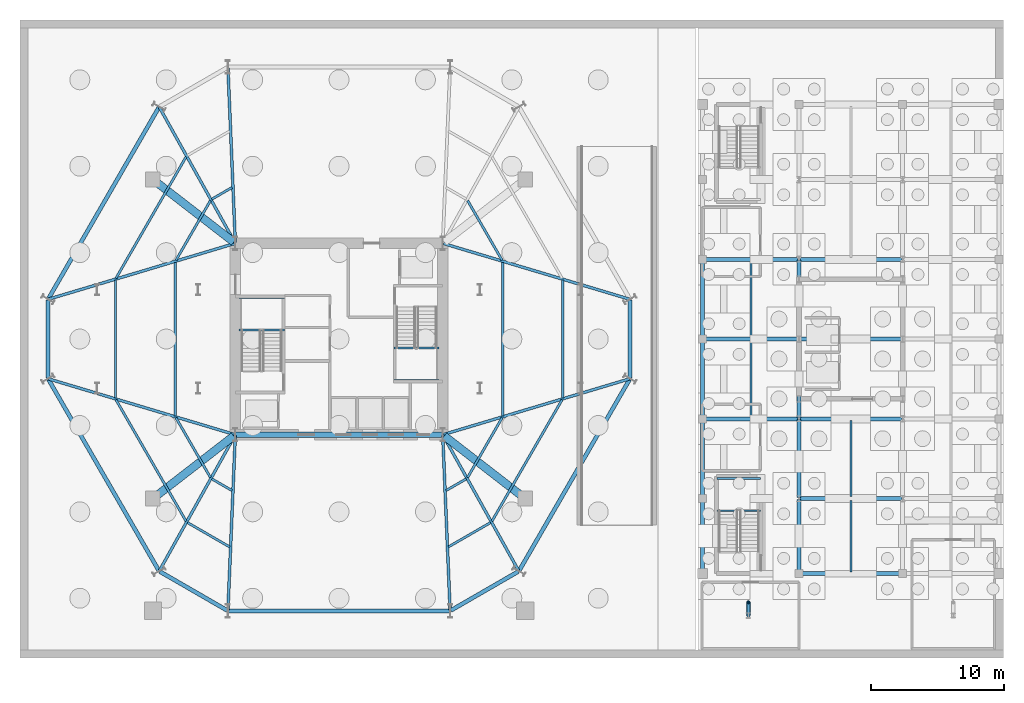
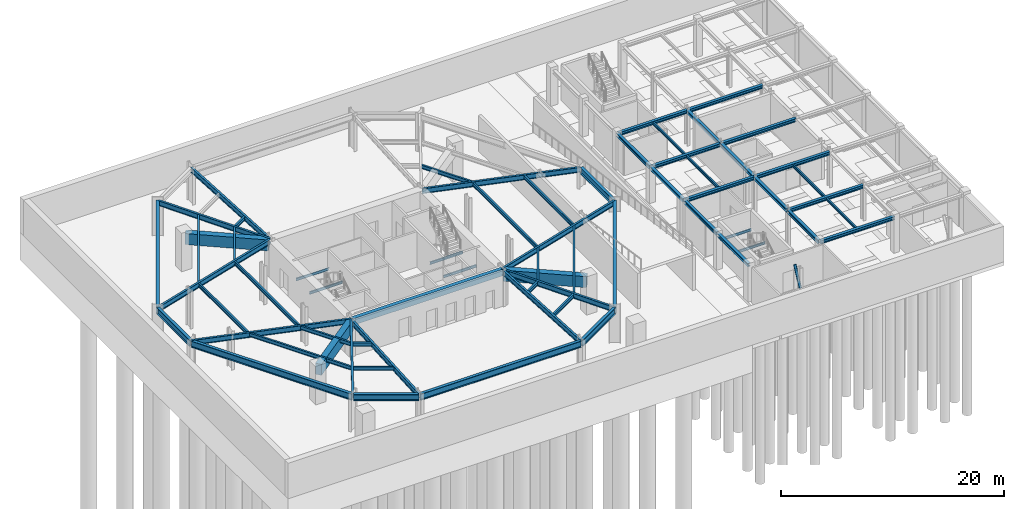
# One storey, part 8 of 18: 64 beams, 1 member.
"""IFC4 building model written with IfcOpenShell, lengths in metres."""

from ifc_helpers import new_model, si_unit, direction, frame, origin, origin_2d, place, context, subcontext, project, spatial, rectangle, hollow_circle, i_section, extrude, material, material_profile, profile_set, type_object, element, save


model = new_model("IFC4")

# Units and contexts
model_context = context("Model", 3, precision=1e-05, world=origin(), true_north=direction((0.0, 1.0)))
body_context = subcontext(model_context, "Body", "Model", "MODEL_VIEW")
ifc_project = project(units=[si_unit("LENGTHUNIT", "METRE"), si_unit("AREAUNIT", "SQUARE_METRE"), si_unit("VOLUMEUNIT", "CUBIC_METRE"), si_unit("PLANEANGLEUNIT", "RADIAN"), si_unit("MASSUNIT", "GRAM", prefix="KILO")], contexts=[model_context])

# Site, building, storey
site_placement = place(None, origin())
site = spatial("IfcSite", under=ifc_project, at=site_placement, CompositionType="ELEMENT")
building_placement = place(site_placement, origin())
building = spatial("IfcBuilding", under=site, at=building_placement, Name="Kranzbogen Civic Tower", CompositionType="ELEMENT")
storey_placement = place(building_placement, frame((0.0, 0.0, -8.39990234375)))
storey = spatial("IfcBuildingStorey", under=building, at=storey_placement, Name="B02", CompositionType="ELEMENT", Elevation=-8.39990234375)

# Beams
ifc_material_1 = material(Name="Concrete C45/55", Category="concrete")
ifc_material_profile_1 = material_profile(ifc_material_1, rectangle(XDim=0.60009765625, YDim=1.199951171875, at=origin_2d()), Name="RC-BM 600x1200")
ifc_profile_set_1 = profile_set([ifc_material_profile_1], Name="Concrete C45/55")
beam_type_1 = type_object("IfcBeamType", Name="Basement Heavy RC Girder 600x1200", PredefinedType="BEAM", material=ifc_profile_set_1)
for number, where, z_axis, x_axis, name in (
    (1, (11.118896484375, 13.092041015625, 3.27978515625), (0.79071713495, 0.612181682589, 0.0), (-0.612181682589, 0.79071713495, 0.0), "B02 basement RC frame girder 1"),
    (2, (38.881103515625, 13.092041015625, 3.27978515625), (-0.79071713495, 0.612181682589, 0.0), (-0.612181682589, -0.79071713495, 0.0), "B02 basement RC frame girder 2"),
    (3, (11.118896484375, 36.907958984375, 3.27978515625), (0.79071713495, -0.612181682589, 0.0), (0.612181682589, 0.79071713495, 0.0), "B02 basement RC frame girder 3"),
):
    element("IfcBeam", number, at=place(storey_placement, frame(where, z_axis=z_axis, x_axis=x_axis)), inside=storey, type_object=beam_type_1, Name=name, PredefinedType="BEAM", context=body_context, shape_type="SweptSolid", body=[
        extrude(rectangle(XDim=0.60009765625, YDim=1.199951171875, at=origin_2d()), origin(), (0.0, 0.0, 1.0), 7.540283203125),
    ])
ifc_material_2 = material(Name="Concrete C40/50", Category="concrete")
ifc_material_profile_2 = material_profile(ifc_material_2, rectangle(XDim=0.39990234375, YDim=0.699951171875, at=origin_2d()), Name="RC-BM 400x700")
ifc_profile_set_2 = profile_set([ifc_material_profile_2], Name="Concrete C40/50")
beam_type_2 = type_object("IfcBeamType", Name="Core Coupling Lintel Beam 400x700", PredefinedType="LINTEL", material=ifc_profile_set_2)
beam_1_placement = place(storey_placement, frame((17.199951171875, 17.800048828125, 3.52978515625), z_axis=(1.0, 0.0, 0.0), x_axis=(0.0, 1.0, 0.0)))
element("IfcBeam", 4, at=beam_1_placement, inside=storey, type_object=beam_type_2, Name="B02 core South coupling lintel beam", PredefinedType="LINTEL", context=body_context, shape_type="SweptSolid", body=[
    extrude(rectangle(XDim=0.39990234375, YDim=0.699951171875, at=origin_2d()), origin(), (0.0, 0.0, 1.0), 15.60009765625),
])
ifc_material_3 = material(Name="Steel S355", Category="steel")
ifc_material_profile_3 = material_profile(ifc_material_3, i_section(OverallWidth=0.300048828125, OverallDepth=0.360107421875, WebThickness=0.012451171875, FlangeThickness=0.0224609375, at=origin_2d()), Name="HEB 360")
ifc_profile_set_3 = profile_set([ifc_material_profile_3], Name="Steel S355")
beam_type_3 = type_object("IfcBeamType", Name="Health Centre Primary Floor Beam HEB 360", PredefinedType="BEAM", material=ifc_profile_set_3)
for number, where, z_axis, x_axis, name in (
    (5, (59.659912109375, 7.35009765625, 3.699951171875), (1.0, 0.0, 0.0), (0.0, 1.0, 0.0), "B02 Health Centre X girder 2-1"),
    (6, (59.659912109375, 13.0, 3.699951171875), (1.0, 0.0, 0.0), (0.0, 1.0, 0.0), "B02 Health Centre X girder 2-2"),
):
    element("IfcBeam", number, at=place(storey_placement, frame(where, z_axis=z_axis, x_axis=x_axis)), inside=storey, type_object=beam_type_3, Name=name, PredefinedType="BEAM", context=body_context, shape_type="SweptSolid", body=[
        extrude(i_section(OverallWidth=0.300048828125, OverallDepth=0.360107421875, WebThickness=0.012451171875, FlangeThickness=0.0224609375, at=origin_2d()), origin(), (0.0, 0.0, 1.0), 7.68017578125),
    ])
beam_2_placement = place(storey_placement, frame((52.409912109375, 19.0, 3.699951171875), z_axis=(1.0, 0.0, 0.0), x_axis=(0.0, 1.0, 0.0)))
element("IfcBeam", 7, at=beam_2_placement, inside=storey, type_object=beam_type_3, Name="B02 Health Centre X girder 1-3", PredefinedType="BEAM", context=body_context, shape_type="SweptSolid", body=[
    extrude(i_section(OverallWidth=0.300048828125, OverallDepth=0.360107421875, WebThickness=0.012451171875, FlangeThickness=0.0224609375, at=origin_2d()), origin(), (0.0, 0.0, 1.0), 7.130126953125),
])
beam_3_placement = place(storey_placement, frame((59.659912109375, 19.0, 3.699951171875), z_axis=(1.0, 0.0, 0.0), x_axis=(0.0, 1.0, 0.0)))
element("IfcBeam", 8, at=beam_3_placement, inside=storey, type_object=beam_type_3, Name="B02 Health Centre X girder 2-3", PredefinedType="BEAM", context=body_context, shape_type="SweptSolid", body=[
    extrude(i_section(OverallWidth=0.300048828125, OverallDepth=0.360107421875, WebThickness=0.012451171875, FlangeThickness=0.0224609375, at=origin_2d()), origin(), (0.0, 0.0, 1.0), 7.68017578125),
])
beam_4_placement = place(storey_placement, frame((52.409912109375, 25.0, 3.699951171875), z_axis=(1.0, 0.0, 0.0), x_axis=(0.0, 1.0, 0.0)))
element("IfcBeam", 9, at=beam_4_placement, inside=storey, type_object=beam_type_3, Name="B02 Health Centre X girder 1-4", PredefinedType="BEAM", context=body_context, shape_type="SweptSolid", body=[
    extrude(i_section(OverallWidth=0.300048828125, OverallDepth=0.360107421875, WebThickness=0.012451171875, FlangeThickness=0.0224609375, at=origin_2d()), origin(), (0.0, 0.0, 1.0), 7.130126953125),
])
beam_5_placement = place(storey_placement, frame((59.659912109375, 25.0, 3.699951171875), z_axis=(1.0, 0.0, 0.0), x_axis=(0.0, 1.0, 0.0)))
element("IfcBeam", 10, at=beam_5_placement, inside=storey, type_object=beam_type_3, Name="B02 Health Centre X girder 2-4", PredefinedType="BEAM", context=body_context, shape_type="SweptSolid", body=[
    extrude(i_section(OverallWidth=0.300048828125, OverallDepth=0.360107421875, WebThickness=0.012451171875, FlangeThickness=0.0224609375, at=origin_2d()), origin(), (0.0, 0.0, 1.0), 7.68017578125),
])
beam_6_placement = place(storey_placement, frame((52.409912109375, 31.0, 3.699951171875), z_axis=(1.0, 0.0, 0.0), x_axis=(0.0, 1.0, 0.0)))
element("IfcBeam", 11, at=beam_6_placement, inside=storey, type_object=beam_type_3, Name="B02 Health Centre X girder 1-5", PredefinedType="BEAM", context=body_context, shape_type="SweptSolid", body=[
    extrude(i_section(OverallWidth=0.300048828125, OverallDepth=0.360107421875, WebThickness=0.012451171875, FlangeThickness=0.0224609375, at=origin_2d()), origin(), (0.0, 0.0, 1.0), 7.130126953125),
])
beam_7_placement = place(storey_placement, frame((59.659912109375, 31.0, 3.699951171875), z_axis=(1.0, 0.0, 0.0), x_axis=(0.0, 1.0, 0.0)))
element("IfcBeam", 12, at=beam_7_placement, inside=storey, type_object=beam_type_3, Name="B02 Health Centre X girder 2-5", PredefinedType="BEAM", context=body_context, shape_type="SweptSolid", body=[
    extrude(i_section(OverallWidth=0.300048828125, OverallDepth=0.360107421875, WebThickness=0.012451171875, FlangeThickness=0.0224609375, at=origin_2d()), origin(), (0.0, 0.0, 1.0), 7.68017578125),
])
for number, where, z_axis, x_axis, name in (
    (13, (52.35009765625, 7.409912109375, 3.699951171875), (0.0, 1.0, 0.0), (-1.0, 0.0, 0.0), "B02 Health Centre Y girder 1-1"),
    (14, (59.60009765625, 7.409912109375, 3.699951171875), (0.0, 1.0, 0.0), (-1.0, 0.0, 0.0), "B02 Health Centre Y girder 2-1"),
):
    element("IfcBeam", number, at=place(storey_placement, frame(where, z_axis=z_axis, x_axis=x_axis)), inside=storey, type_object=beam_type_3, Name=name, PredefinedType="BEAM", context=body_context, shape_type="SweptSolid", body=[
        extrude(i_section(OverallWidth=0.300048828125, OverallDepth=0.360107421875, WebThickness=0.012451171875, FlangeThickness=0.0224609375, at=origin_2d()), origin(), (0.0, 0.0, 1.0), 5.530029296875),
    ])
for number, where, z_axis, x_axis, name in (
    (15, (52.35009765625, 13.06005859375, 3.699951171875), (0.0, 1.0, 0.0), (-1.0, 0.0, 0.0), "B02 Health Centre Y girder 1-2"),
    (16, (59.60009765625, 13.06005859375, 3.699951171875), (0.0, 1.0, 0.0), (-1.0, 0.0, 0.0), "B02 Health Centre Y girder 2-2"),
    (17, (52.35009765625, 19.06005859375, 3.699951171875), (0.0, 1.0, 0.0), (-1.0, 0.0, 0.0), "B02 Health Centre Y girder 1-3"),
    (18, (59.60009765625, 19.06005859375, 3.699951171875), (0.0, 1.0, 0.0), (-1.0, 0.0, 0.0), "B02 Health Centre Y girder 2-3"),
    (19, (52.35009765625, 25.06005859375, 3.699951171875), (0.0, 1.0, 0.0), (-1.0, 0.0, 0.0), "B02 Health Centre Y girder 1-4"),
    (20, (59.60009765625, 25.06005859375, 3.699951171875), (0.0, 1.0, 0.0), (-1.0, 0.0, 0.0), "B02 Health Centre Y girder 2-4"),
):
    element("IfcBeam", number, at=place(storey_placement, frame(where, z_axis=z_axis, x_axis=x_axis)), inside=storey, type_object=beam_type_3, Name=name, PredefinedType="BEAM", context=body_context, shape_type="SweptSolid", body=[
        extrude(i_section(OverallWidth=0.300048828125, OverallDepth=0.360107421875, WebThickness=0.012451171875, FlangeThickness=0.0224609375, at=origin_2d()), origin(), (0.0, 0.0, 1.0), 5.8798828125),
    ])
ifc_material_profile_4 = material_profile(ifc_material_3, i_section(OverallWidth=0.14990234375, OverallDepth=0.300048828125, WebThickness=0.007080078125, FlangeThickness=0.0107421875, at=origin_2d()), Name="IPE 300")
ifc_profile_set_4 = profile_set([ifc_material_profile_4], Name="Steel S355")
beam_type_4 = type_object("IfcBeamType", Name="Health Centre Secondary Joist IPE 300", PredefinedType="JOIST", material=ifc_profile_set_4)
beam_8_placement = place(storey_placement, frame((63.5, 7.489990234375, 3.72998046875), z_axis=(0.0, 1.0, 0.0), x_axis=(-1.0, 0.0, 0.0)))
element("IfcBeam", 21, at=beam_8_placement, inside=storey, type_object=beam_type_4, Name="B02 Health Centre secondary joist 2-1", PredefinedType="JOIST", context=body_context, shape_type="SweptSolid", body=[
    extrude(i_section(OverallWidth=0.14990234375, OverallDepth=0.300048828125, WebThickness=0.007080078125, FlangeThickness=0.0107421875, at=origin_2d()), origin(), (0.0, 0.0, 1.0), 5.3701171875),
])
for number, where, z_axis, x_axis, name in (
    (22, (63.5, 13.139892578125, 3.72998046875), (0.0, 1.0, 0.0), (-1.0, 0.0, 0.0), "B02 Health Centre secondary joist 2-2"),
    (23, (55.97509765625, 19.139892578125, 3.72998046875), (0.0, 1.0, 0.0), (-1.0, 0.0, 0.0), "B02 Health Centre secondary joist 1-3"),
    (24, (55.97509765625, 25.139892578125, 3.72998046875), (0.0, 1.0, 0.0), (-1.0, 0.0, 0.0), "B02 Health Centre secondary joist 1-4"),
):
    element("IfcBeam", number, at=place(storey_placement, frame(where, z_axis=z_axis, x_axis=x_axis)), inside=storey, type_object=beam_type_4, Name=name, PredefinedType="JOIST", context=body_context, shape_type="SweptSolid", body=[
        extrude(i_section(OverallWidth=0.14990234375, OverallDepth=0.300048828125, WebThickness=0.007080078125, FlangeThickness=0.0107421875, at=origin_2d()), origin(), (0.0, 0.0, 1.0), 5.72021484375),
    ])
ifc_material_profile_5 = material_profile(ifc_material_3, i_section(OverallWidth=0.300048828125, OverallDepth=0.699951171875, WebThickness=0.01708984375, FlangeThickness=0.031982421875, at=origin_2d()), Name="HEB 700")
ifc_profile_set_5 = profile_set([ifc_material_profile_5], Name="Steel S355")
beam_type_5 = type_object("IfcBeamType", Name="Perimeter Tube Spandrel Beam HEB 700", PredefinedType="SPANDREL", material=ifc_profile_set_5)
beam_9_placement = place(storey_placement, frame((3.139892578125, 21.9619140625, 3.52978515625), z_axis=(0.500010210561, -0.866019508634, 0.0), x_axis=(0.866019508634, 0.500010210561, 0.0)))
element("IfcBeam", 25, at=beam_9_placement, inside=storey, type_object=beam_type_5, Name="B02 perimeter spandrel beam 01", PredefinedType="SPANDREL", context=body_context, shape_type="SweptSolid", body=[
    extrude(i_section(OverallWidth=0.300048828125, OverallDepth=0.699951171875, WebThickness=0.01708984375, FlangeThickness=0.031982421875, at=origin_2d()), origin(), (0.0, 0.0, 1.0), 16.597900390625),
])
beam_10_placement = place(storey_placement, frame((11.52099609375, 7.506103515625, 3.52978515625), z_axis=(0.86602927387, -0.499993296755, 0.0), x_axis=(0.499993296755, 0.86602927387, 0.0)))
element("IfcBeam", 26, at=beam_10_placement, inside=storey, type_object=beam_type_5, Name="B02 perimeter spandrel beam 02", PredefinedType="SPANDREL", context=body_context, shape_type="SweptSolid", body=[
    extrude(i_section(OverallWidth=0.300048828125, OverallDepth=0.699951171875, WebThickness=0.01708984375, FlangeThickness=0.031982421875, at=origin_2d()), origin(), (0.0, 0.0, 1.0), 5.85205078125),
])
beam_11_placement = place(storey_placement, frame((16.700927734375, 4.550048828125, 3.52978515625), z_axis=(1.0, 0.0, 0.0), x_axis=(0.0, 1.0, 0.0)))
element("IfcBeam", 27, at=beam_11_placement, inside=storey, type_object=beam_type_5, Name="B02 perimeter spandrel beam 03", PredefinedType="SPANDREL", context=body_context, shape_type="SweptSolid", body=[
    extrude(i_section(OverallWidth=0.300048828125, OverallDepth=0.699951171875, WebThickness=0.01708984375, FlangeThickness=0.031982421875, at=origin_2d()), origin(), (0.0, 0.0, 1.0), 16.59814453125),
])
beam_12_placement = place(storey_placement, frame((33.410888671875, 4.580078125, 3.52978515625), z_axis=(0.86602927387, 0.499993296755, 0.0), x_axis=(-0.499993296755, 0.86602927387, 0.0)))
element("IfcBeam", 28, at=beam_12_placement, inside=storey, type_object=beam_type_5, Name="B02 perimeter spandrel beam 04", PredefinedType="SPANDREL", context=body_context, shape_type="SweptSolid", body=[
    extrude(i_section(OverallWidth=0.300048828125, OverallDepth=0.699951171875, WebThickness=0.01708984375, FlangeThickness=0.031982421875, at=origin_2d()), origin(), (0.0, 0.0, 1.0), 5.85205078125),
])
beam_13_placement = place(storey_placement, frame((38.56103515625, 7.587890625, 3.52978515625), z_axis=(0.500010210561, 0.866019508634, 0.0), x_axis=(-0.866019508634, 0.500010210561, 0.0)))
element("IfcBeam", 29, at=beam_13_placement, inside=storey, type_object=beam_type_5, Name="B02 perimeter spandrel beam 05", PredefinedType="SPANDREL", context=body_context, shape_type="SweptSolid", body=[
    extrude(i_section(OverallWidth=0.300048828125, OverallDepth=0.699951171875, WebThickness=0.01708984375, FlangeThickness=0.031982421875, at=origin_2d()), origin(), (0.0, 0.0, 1.0), 16.597900390625),
])
beam_14_placement = place(storey_placement, frame((46.889892578125, 22.073974609375, 3.52978515625), z_axis=(0.0, 1.0, 0.0), x_axis=(-1.0, 0.0, 0.0)))
element("IfcBeam", 30, at=beam_14_placement, inside=storey, type_object=beam_type_5, Name="B02 perimeter spandrel beam 06", PredefinedType="SPANDREL", context=body_context, shape_type="SweptSolid", body=[
    extrude(i_section(OverallWidth=0.300048828125, OverallDepth=0.699951171875, WebThickness=0.01708984375, FlangeThickness=0.031982421875, at=origin_2d()), origin(), (0.0, 0.0, 1.0), 5.85205078125),
])
beam_15_placement = place(storey_placement, frame((11.43896484375, 42.412109375, 3.52978515625), z_axis=(-0.500010210561, -0.866019508634, 0.0), x_axis=(0.866019508634, -0.500010210561, 0.0)))
element("IfcBeam", 31, at=beam_15_placement, inside=storey, type_object=beam_type_5, Name="B02 perimeter spandrel beam 11", PredefinedType="SPANDREL", context=body_context, shape_type="SweptSolid", body=[
    extrude(i_section(OverallWidth=0.300048828125, OverallDepth=0.699951171875, WebThickness=0.01708984375, FlangeThickness=0.031982421875, at=origin_2d()), origin(), (0.0, 0.0, 1.0), 16.597900390625),
])
beam_16_placement = place(storey_placement, frame((3.110107421875, 27.926025390625, 3.52978515625), z_axis=(0.0, -1.0, 0.0), x_axis=(1.0, 0.0, 0.0)))
element("IfcBeam", 32, at=beam_16_placement, inside=storey, type_object=beam_type_5, Name="B02 perimeter spandrel beam 12", PredefinedType="SPANDREL", context=body_context, shape_type="SweptSolid", body=[
    extrude(i_section(OverallWidth=0.300048828125, OverallDepth=0.699951171875, WebThickness=0.01708984375, FlangeThickness=0.031982421875, at=origin_2d()), origin(), (0.0, 0.0, 1.0), 5.85205078125),
])
ifc_material_profile_6 = material_profile(ifc_material_3, i_section(OverallWidth=0.2099609375, OverallDepth=0.550048828125, WebThickness=0.010986328125, FlangeThickness=0.01708984375, at=origin_2d()), Name="IPE 550")
ifc_profile_set_6 = profile_set([ifc_material_profile_6], Name="Steel S355")
beam_type_6 = type_object("IfcBeamType", Name="Radial Tower Floor Girder IPE 550", PredefinedType="BEAM", material=ifc_profile_set_6)
beam_17_placement = place(storey_placement, frame((3.1669921875, 21.9970703125, 3.60498046875), z_axis=(0.958064557048, -0.286552446385, 0.0), x_axis=(0.286552446385, 0.958064557048, 0.0)))
element("IfcBeam", 33, at=beam_17_placement, inside=storey, type_object=beam_type_6, Name="B02 radial floor girder 01", PredefinedType="BEAM", context=body_context, shape_type="SweptSolid", body=[
    extrude(i_section(OverallWidth=0.2099609375, OverallDepth=0.550048828125, WebThickness=0.010986328125, FlangeThickness=0.01708984375, at=origin_2d()), origin(), (0.0, 0.0, 1.0), 14.587890625),
])
beam_18_placement = place(storey_placement, frame((11.498046875, 7.587890625, 3.60498046875), z_axis=(0.487501570266, 0.87312211001, 0.0), x_axis=(-0.87312211001, 0.487501570266, 0.0)))
element("IfcBeam", 34, at=beam_18_placement, inside=storey, type_object=beam_type_6, Name="B02 radial floor girder 02", PredefinedType="BEAM", context=body_context, shape_type="SweptSolid", body=[
    extrude(i_section(OverallWidth=0.2099609375, OverallDepth=0.550048828125, WebThickness=0.010986328125, FlangeThickness=0.01708984375, at=origin_2d()), origin(), (0.0, 0.0, 1.0), 11.636474609375),
])
for number, where, z_axis, x_axis, name in (
    (35, (16.64404296875, 4.610107421875, 3.60498046875), (0.04207872602, 0.999114298174, 0.0), (-0.999114298174, 0.04207872602, 0.0), "B02 radial floor girder 03"),
    (36, (33.35595703125, 4.610107421875, 3.60498046875), (-0.04207872602, 0.999114298174, 0.0), (-0.999114298174, -0.04207872602, 0.0), "B02 radial floor girder 04"),
):
    element("IfcBeam", number, at=place(storey_placement, frame(where, z_axis=z_axis, x_axis=x_axis)), inside=storey, type_object=beam_type_6, Name=name, PredefinedType="BEAM", context=body_context, shape_type="SweptSolid", body=[
        extrude(i_section(OverallWidth=0.2099609375, OverallDepth=0.550048828125, WebThickness=0.010986328125, FlangeThickness=0.01708984375, at=origin_2d()), origin(), (0.0, 0.0, 1.0), 13.1416015625),
    ])
beam_19_placement = place(storey_placement, frame((38.501953125, 7.587890625, 3.60498046875), z_axis=(-0.487501570266, 0.87312211001, 0.0), x_axis=(-0.87312211001, -0.487501570266, 0.0)))
element("IfcBeam", 37, at=beam_19_placement, inside=storey, type_object=beam_type_6, Name="B02 radial floor girder 05", PredefinedType="BEAM", context=body_context, shape_type="SweptSolid", body=[
    extrude(i_section(OverallWidth=0.2099609375, OverallDepth=0.550048828125, WebThickness=0.010986328125, FlangeThickness=0.01708984375, at=origin_2d()), origin(), (0.0, 0.0, 1.0), 11.636474609375),
])
for number, where, z_axis, x_axis, name in (
    (38, (46.8330078125, 21.9970703125, 3.60498046875), (-0.958064557048, -0.286552446385, 0.0), (0.286552446385, -0.958064557048, 0.0), "B02 radial floor girder 06"),
    (39, (46.8330078125, 28.0029296875, 3.60498046875), (-0.958064557048, 0.286552446385, 0.0), (-0.286552446385, -0.958064557048, 0.0), "B02 radial floor girder 07"),
):
    element("IfcBeam", number, at=place(storey_placement, frame(where, z_axis=z_axis, x_axis=x_axis)), inside=storey, type_object=beam_type_6, Name=name, PredefinedType="BEAM", context=body_context, shape_type="SweptSolid", body=[
        extrude(i_section(OverallWidth=0.2099609375, OverallDepth=0.550048828125, WebThickness=0.010986328125, FlangeThickness=0.01708984375, at=origin_2d()), origin(), (0.0, 0.0, 1.0), 14.587890625),
    ])
beam_20_placement = place(storey_placement, frame((16.64404296875, 45.389892578125, 3.60498046875), z_axis=(0.04207872602, -0.999114298174, 0.0), x_axis=(0.999114298174, 0.04207872602, 0.0)))
element("IfcBeam", 40, at=beam_20_placement, inside=storey, type_object=beam_type_6, Name="B02 radial floor girder 10", PredefinedType="BEAM", context=body_context, shape_type="SweptSolid", body=[
    extrude(i_section(OverallWidth=0.2099609375, OverallDepth=0.550048828125, WebThickness=0.010986328125, FlangeThickness=0.01708984375, at=origin_2d()), origin(), (0.0, 0.0, 1.0), 13.1416015625),
])
beam_21_placement = place(storey_placement, frame((11.498046875, 42.412109375, 3.60498046875), z_axis=(0.487501570266, -0.87312211001, 0.0), x_axis=(0.87312211001, 0.487501570266, 0.0)))
element("IfcBeam", 41, at=beam_21_placement, inside=storey, type_object=beam_type_6, Name="B02 radial floor girder 11", PredefinedType="BEAM", context=body_context, shape_type="SweptSolid", body=[
    extrude(i_section(OverallWidth=0.2099609375, OverallDepth=0.550048828125, WebThickness=0.010986328125, FlangeThickness=0.01708984375, at=origin_2d()), origin(), (0.0, 0.0, 1.0), 11.636474609375),
])
beam_22_placement = place(storey_placement, frame((3.1669921875, 28.0029296875, 3.60498046875), z_axis=(0.958064557048, 0.286552446385, 0.0), x_axis=(-0.286552446385, 0.958064557048, 0.0)))
element("IfcBeam", 42, at=beam_22_placement, inside=storey, type_object=beam_type_6, Name="B02 radial floor girder 12", PredefinedType="BEAM", context=body_context, shape_type="SweptSolid", body=[
    extrude(i_section(OverallWidth=0.2099609375, OverallDepth=0.550048828125, WebThickness=0.010986328125, FlangeThickness=0.01708984375, at=origin_2d()), origin(), (0.0, 0.0, 1.0), 14.587890625),
])
ifc_material_profile_7 = material_profile(ifc_material_3, i_section(OverallWidth=0.179931640625, OverallDepth=0.39990234375, WebThickness=0.008544921875, FlangeThickness=0.013427734375, at=origin_2d()), Name="IPE 400")
ifc_profile_set_7 = profile_set([ifc_material_profile_7], Name="Steel S355")
beam_type_7 = type_object("IfcBeamType", Name="Secondary Composite Floor Joist IPE 400", PredefinedType="JOIST", material=ifc_profile_set_7)
beam_23_placement = place(storey_placement, frame((8.221923828125, 20.427978515625, 3.679931640625), z_axis=(0.500000488781, -0.866025121586, 0.0), x_axis=(0.866025121586, 0.500000488781, 0.0)))
element("IfcBeam", 43, at=beam_23_placement, inside=storey, type_object=beam_type_7, Name="B02 secondary floor joist 1.01", PredefinedType="JOIST", context=body_context, shape_type="SweptSolid", body=[
    extrude(i_section(OverallWidth=0.179931640625, OverallDepth=0.39990234375, WebThickness=0.008544921875, FlangeThickness=0.013427734375, at=origin_2d()), origin(), (0.0, 0.0, 1.0), 10.5400390625),
])
beam_24_placement = place(storey_placement, frame((12.73095703125, 19.0791015625, 3.679931640625), z_axis=(0.500040090343, -0.866002256377, 0.0), x_axis=(0.866002256377, 0.500040090343, 0.0)))
element("IfcBeam", 44, at=beam_24_placement, inside=storey, type_object=beam_type_7, Name="B02 secondary floor joist 2.01", PredefinedType="JOIST", context=body_context, shape_type="SweptSolid", body=[
    extrude(i_section(OverallWidth=0.179931640625, OverallDepth=0.39990234375, WebThickness=0.008544921875, FlangeThickness=0.013427734375, at=origin_2d()), origin(), (0.0, 0.0, 1.0), 5.189453125),
])
beam_25_placement = place(storey_placement, frame((13.60107421875, 11.19091796875, 3.679931640625), z_axis=(0.866081244924, -0.499903267833, 0.0), x_axis=(0.499903267833, 0.866081244924, 0.0)))
element("IfcBeam", 45, at=beam_25_placement, inside=storey, type_object=beam_type_7, Name="B02 secondary floor joist 1.02", PredefinedType="JOIST", context=body_context, shape_type="SweptSolid", body=[
    extrude(i_section(OverallWidth=0.179931640625, OverallDepth=0.39990234375, WebThickness=0.008544921875, FlangeThickness=0.013427734375, at=origin_2d()), origin(), (0.0, 0.0, 1.0), 3.662353515625),
])
beam_26_placement = place(storey_placement, frame((15.43505859375, 14.47607421875, 3.679931640625), z_axis=(0.86596970562, -0.500096459644, 0.0), x_axis=(0.500096459644, 0.86596970562, 0.0)))
element("IfcBeam", 46, at=beam_26_placement, inside=storey, type_object=beam_type_7, Name="B02 secondary floor joist 2.02", PredefinedType="JOIST", context=body_context, shape_type="SweptSolid", body=[
    extrude(i_section(OverallWidth=0.179931640625, OverallDepth=0.39990234375, WebThickness=0.008544921875, FlangeThickness=0.013427734375, at=origin_2d()), origin(), (0.0, 0.0, 1.0), 1.751708984375),
])
beam_27_placement = place(storey_placement, frame((33.22705078125, 9.360107421875, 3.679931640625), z_axis=(0.866081244924, 0.499903267833, 0.0), x_axis=(-0.499903267833, 0.866081244924, 0.0)))
element("IfcBeam", 47, at=beam_27_placement, inside=storey, type_object=beam_type_7, Name="B02 secondary floor joist 1.04", PredefinedType="JOIST", context=body_context, shape_type="SweptSolid", body=[
    extrude(i_section(OverallWidth=0.179931640625, OverallDepth=0.39990234375, WebThickness=0.008544921875, FlangeThickness=0.013427734375, at=origin_2d()), origin(), (0.0, 0.0, 1.0), 3.662353515625),
])
beam_28_placement = place(storey_placement, frame((33.048095703125, 13.60009765625, 3.679931640625), z_axis=(0.86596970562, 0.500096459644, 0.0), x_axis=(-0.500096459644, 0.86596970562, 0.0)))
element("IfcBeam", 48, at=beam_28_placement, inside=storey, type_object=beam_type_7, Name="B02 secondary floor joist 2.04", PredefinedType="JOIST", context=body_context, shape_type="SweptSolid", body=[
    extrude(i_section(OverallWidth=0.179931640625, OverallDepth=0.39990234375, WebThickness=0.008544921875, FlangeThickness=0.013427734375, at=origin_2d()), origin(), (0.0, 0.0, 1.0), 1.751708984375),
])
beam_29_placement = place(storey_placement, frame((36.508056640625, 11.300048828125, 3.679931640625), z_axis=(0.500000488781, 0.866025121586, 0.0), x_axis=(-0.866025121586, 0.500000488781, 0.0)))
element("IfcBeam", 49, at=beam_29_placement, inside=storey, type_object=beam_type_7, Name="B02 secondary floor joist 1.05", PredefinedType="JOIST", context=body_context, shape_type="SweptSolid", body=[
    extrude(i_section(OverallWidth=0.179931640625, OverallDepth=0.39990234375, WebThickness=0.008544921875, FlangeThickness=0.013427734375, at=origin_2d()), origin(), (0.0, 0.0, 1.0), 10.5400390625),
])
beam_30_placement = place(storey_placement, frame((34.674072265625, 14.5849609375, 3.679931640625), z_axis=(0.500040090343, 0.866002256377, 0.0), x_axis=(-0.866002256377, 0.500040090343, 0.0)))
element("IfcBeam", 50, at=beam_30_placement, inside=storey, type_object=beam_type_7, Name="B02 secondary floor joist 2.05", PredefinedType="JOIST", context=body_context, shape_type="SweptSolid", body=[
    extrude(i_section(OverallWidth=0.179931640625, OverallDepth=0.39990234375, WebThickness=0.008544921875, FlangeThickness=0.013427734375, at=origin_2d()), origin(), (0.0, 0.0, 1.0), 5.189453125),
])
beam_31_placement = place(storey_placement, frame((41.818115234375, 20.576904296875, 3.679931640625), z_axis=(0.0, 1.0, 0.0), x_axis=(-1.0, 0.0, 0.0)))
element("IfcBeam", 51, at=beam_31_placement, inside=storey, type_object=beam_type_7, Name="B02 secondary floor joist 1.06", PredefinedType="JOIST", context=body_context, shape_type="SweptSolid", body=[
    extrude(i_section(OverallWidth=0.179931640625, OverallDepth=0.39990234375, WebThickness=0.008544921875, FlangeThickness=0.013427734375, at=origin_2d()), origin(), (0.0, 0.0, 1.0), 8.84619140625),
])
beam_32_placement = place(storey_placement, frame((37.30908203125, 19.22802734375, 3.679931640625), z_axis=(0.0, 1.0, 0.0), x_axis=(-1.0, 0.0, 0.0)))
element("IfcBeam", 52, at=beam_32_placement, inside=storey, type_object=beam_type_7, Name="B02 secondary floor joist 2.06", PredefinedType="JOIST", context=body_context, shape_type="SweptSolid", body=[
    extrude(i_section(OverallWidth=0.179931640625, OverallDepth=0.39990234375, WebThickness=0.008544921875, FlangeThickness=0.013427734375, at=origin_2d()), origin(), (0.0, 0.0, 1.0), 11.5439453125),
])
beam_33_placement = place(storey_placement, frame((37.26904296875, 30.9208984375, 3.679931640625), z_axis=(-0.500040090343, 0.866002256377, 0.0), x_axis=(-0.866002256377, -0.500040090343, 0.0)))
element("IfcBeam", 53, at=beam_33_placement, inside=storey, type_object=beam_type_7, Name="B02 secondary floor joist 2.07", PredefinedType="JOIST", context=body_context, shape_type="SweptSolid", body=[
    extrude(i_section(OverallWidth=0.179931640625, OverallDepth=0.39990234375, WebThickness=0.008544921875, FlangeThickness=0.013427734375, at=origin_2d()), origin(), (0.0, 0.0, 1.0), 5.189453125),
])
beam_34_placement = place(storey_placement, frame((16.951904296875, 36.39990234375, 3.679931640625), z_axis=(-0.86596970562, -0.500096459644, 0.0), x_axis=(0.500096459644, -0.86596970562, 0.0)))
element("IfcBeam", 54, at=beam_34_placement, inside=storey, type_object=beam_type_7, Name="B02 secondary floor joist 2.10", PredefinedType="JOIST", context=body_context, shape_type="SweptSolid", body=[
    extrude(i_section(OverallWidth=0.179931640625, OverallDepth=0.39990234375, WebThickness=0.008544921875, FlangeThickness=0.013427734375, at=origin_2d()), origin(), (0.0, 0.0, 1.0), 1.751708984375),
])
beam_35_placement = place(storey_placement, frame((13.491943359375, 38.699951171875, 3.679931640625), z_axis=(-0.500000488781, -0.866025121586, 0.0), x_axis=(0.866025121586, -0.500000488781, 0.0)))
element("IfcBeam", 55, at=beam_35_placement, inside=storey, type_object=beam_type_7, Name="B02 secondary floor joist 1.11", PredefinedType="JOIST", context=body_context, shape_type="SweptSolid", body=[
    extrude(i_section(OverallWidth=0.179931640625, OverallDepth=0.39990234375, WebThickness=0.008544921875, FlangeThickness=0.013427734375, at=origin_2d()), origin(), (0.0, 0.0, 1.0), 10.5400390625),
])
beam_36_placement = place(storey_placement, frame((15.325927734375, 35.4150390625, 3.679931640625), z_axis=(-0.500040090343, -0.866002256377, 0.0), x_axis=(0.866002256377, -0.500040090343, 0.0)))
element("IfcBeam", 56, at=beam_36_placement, inside=storey, type_object=beam_type_7, Name="B02 secondary floor joist 2.11", PredefinedType="JOIST", context=body_context, shape_type="SweptSolid", body=[
    extrude(i_section(OverallWidth=0.179931640625, OverallDepth=0.39990234375, WebThickness=0.008544921875, FlangeThickness=0.013427734375, at=origin_2d()), origin(), (0.0, 0.0, 1.0), 5.189453125),
])
beam_37_placement = place(storey_placement, frame((8.181884765625, 29.423095703125, 3.679931640625), z_axis=(0.0, -1.0, 0.0), x_axis=(1.0, 0.0, 0.0)))
element("IfcBeam", 57, at=beam_37_placement, inside=storey, type_object=beam_type_7, Name="B02 secondary floor joist 1.12", PredefinedType="JOIST", context=body_context, shape_type="SweptSolid", body=[
    extrude(i_section(OverallWidth=0.179931640625, OverallDepth=0.39990234375, WebThickness=0.008544921875, FlangeThickness=0.013427734375, at=origin_2d()), origin(), (0.0, 0.0, 1.0), 8.84619140625),
])
beam_38_placement = place(storey_placement, frame((12.69091796875, 30.77197265625, 3.679931640625), z_axis=(0.0, -1.0, 0.0), x_axis=(1.0, 0.0, 0.0)))
element("IfcBeam", 58, at=beam_38_placement, inside=storey, type_object=beam_type_7, Name="B02 secondary floor joist 2.12", PredefinedType="JOIST", context=body_context, shape_type="SweptSolid", body=[
    extrude(i_section(OverallWidth=0.179931640625, OverallDepth=0.39990234375, WebThickness=0.008544921875, FlangeThickness=0.013427734375, at=origin_2d()), origin(), (0.0, 0.0, 1.0), 11.5439453125),
])
ifc_material_profile_8 = material_profile(ifc_material_3, i_section(OverallWidth=0.135009765625, OverallDepth=0.27001953125, WebThickness=0.006591796875, FlangeThickness=0.01025390625, at=origin_2d()), Name="IPE 270")
ifc_profile_set_8 = profile_set([ifc_material_profile_8], Name="Steel S355")
beam_type_8 = type_object("IfcBeamType", Name="Stair Landing Support Beam IPE 270", PredefinedType="JOIST", material=ifc_profile_set_8)
for number, where, z_axis, x_axis, name in (
    (59, (20.8798828125, 25.679931640625, 1.764892578125), (-1.0, 0.0, 0.0), (0.0, -1.0, 0.0), "B02 ST-T1 landing support beam 1.1"),
    (60, (20.8798828125, 28.10009765625, 1.764892578125), (-1.0, 0.0, 0.0), (0.0, -1.0, 0.0), "B02 ST-T1 landing support beam 1.2"),
    (61, (29.1201171875, 24.320068359375, 1.764892578125), (1.0, 0.0, 0.0), (0.0, 1.0, 0.0), "B02 ST-T2 landing support beam 1.1"),
    (62, (29.1201171875, 21.89990234375, 1.764892578125), (1.0, 0.0, 0.0), (0.0, 1.0, 0.0), "B02 ST-T2 landing support beam 1.2"),
):
    element("IfcBeam", number, at=place(storey_placement, frame(where, z_axis=z_axis, x_axis=x_axis)), inside=storey, type_object=beam_type_8, Name=name, PredefinedType="JOIST", context=body_context, shape_type="SweptSolid", body=[
        extrude(i_section(OverallWidth=0.135009765625, OverallDepth=0.27001953125, WebThickness=0.006591796875, FlangeThickness=0.01025390625, at=origin_2d()), origin(), (0.0, 0.0, 1.0), 3.409912109375),
    ])
for number, where, z_axis, x_axis, name in (
    (63, (56.699951171875, 12.080078125, 1.764892578125), (-1.0, 0.0, 0.0), (0.0, -1.0, 0.0), "B02 ST-H1 landing support beam 1.1"),
    (64, (56.699951171875, 14.5, 1.764892578125), (-1.0, 0.0, 0.0), (0.0, -1.0, 0.0), "B02 ST-H1 landing support beam 1.2"),
):
    element("IfcBeam", number, at=place(storey_placement, frame(where, z_axis=z_axis, x_axis=x_axis)), inside=storey, type_object=beam_type_8, Name=name, PredefinedType="JOIST", context=body_context, shape_type="SweptSolid", body=[
        extrude(i_section(OverallWidth=0.135009765625, OverallDepth=0.27001953125, WebThickness=0.006591796875, FlangeThickness=0.01025390625, at=origin_2d()), origin(), (0.0, 0.0, 1.0), 3.25),
    ])

# Member
ifc_material_profile_9 = material_profile(ifc_material_3, hollow_circle(Radius=0.136474609375, WallThickness=0.01611328125, at=origin_2d()), Name="CHS 273x16")
ifc_profile_set_9 = profile_set([ifc_material_profile_9], Name="Steel S355")
member_type = type_object("IfcMemberType", Name="Terrace Knee-Brace Strut CHS 273x16", PredefinedType="STRUT", material=ifc_profile_set_9)
member_placement = place(storey_placement, frame((55.800048828125, 4.199951171875, 1.89990234375), z_axis=(0.0, 0.450820035048, 0.892614864317), x_axis=(-1.0, 0.0, 0.0)))
element("IfcMember", 65, at=member_placement, inside=storey, type_object=member_type, Name="KNEE-1: B02 plant frame knee strut 1", PredefinedType="STRUT", context=body_context, shape_type="SweptSolid", body=[
    extrude(hollow_circle(Radius=0.136474609375, WallThickness=0.01611328125, at=origin_2d()), origin(), (0.0, 0.0, 1.0), 2.21826171875),
])

save(model, "model.ifc")
